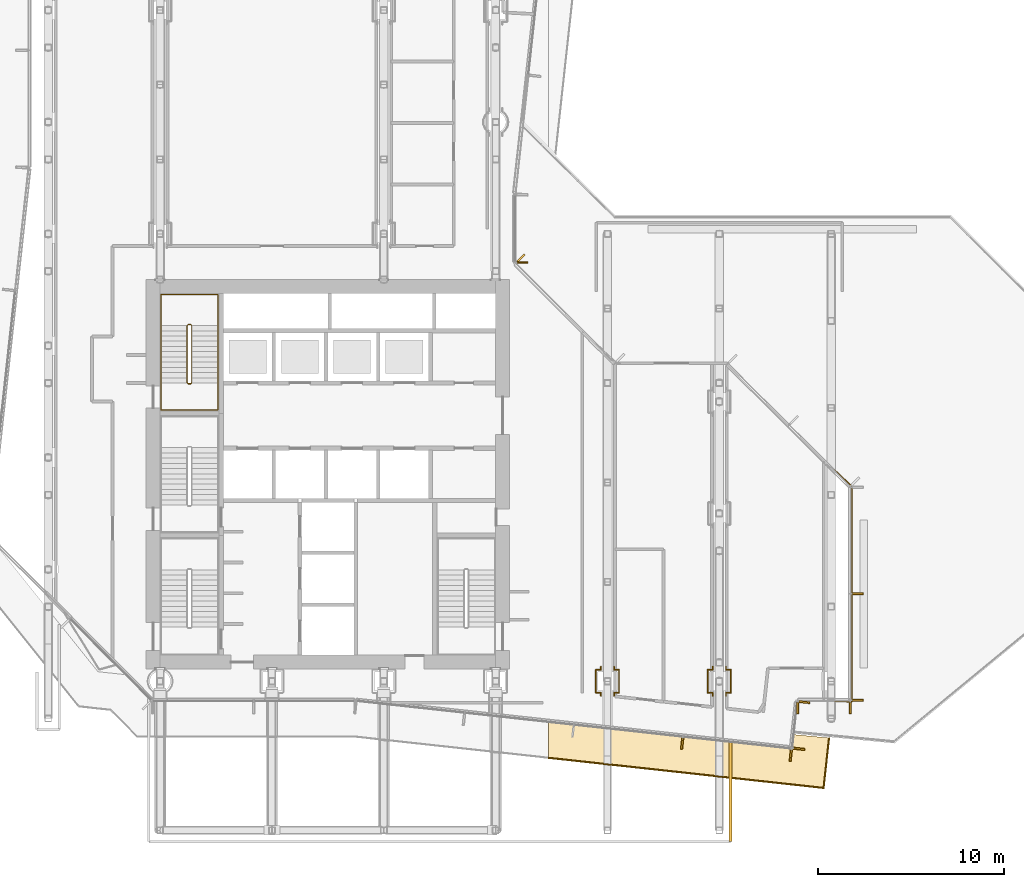
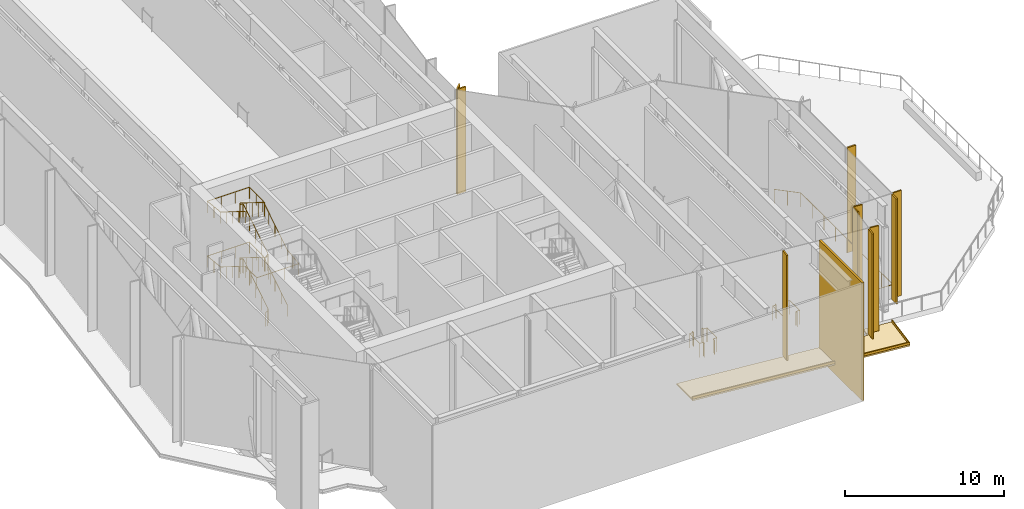
# One storey, part 20 of 24: 13 coverings, 7 railings.
"""IFC4 building model written with IfcOpenShell, lengths in metres."""

from ifc_helpers import new_model, si_unit, direction, frame, origin, origin_2d, place, context, subcontext, project, spatial, polyline, rectangle, circle, outline, extrude, material, layer, layer_set, type_object, element, save


model = new_model("IFC4")

# Units and contexts
model_context = context("Model", 3, precision=1e-05, world=origin(), true_north=direction((0.0, 1.0)))
body_context = subcontext(model_context, "Body", "Model", "MODEL_VIEW")
ifc_project = project(units=[si_unit("LENGTHUNIT", "METRE"), si_unit("AREAUNIT", "SQUARE_METRE"), si_unit("VOLUMEUNIT", "CUBIC_METRE"), si_unit("PLANEANGLEUNIT", "RADIAN"), si_unit("MASSUNIT", "GRAM", prefix="KILO")], contexts=[model_context])

# Site, building, storey
site_placement = place(None, origin())
site = spatial("IfcSite", under=ifc_project, at=site_placement, CompositionType="ELEMENT")
building_placement = place(site_placement, origin())
building = spatial("IfcBuilding", under=site, at=building_placement, Name="Welwitschia Terrace Campus", CompositionType="ELEMENT")
storey_placement = place(building_placement, frame((0.0, 0.0, 138.199951171875)))
storey = spatial("IfcBuildingStorey", under=building, at=storey_placement, Name="L31", CompositionType="ELEMENT", Elevation=138.199951171875)

# Coverings
ifc_material_1 = material(Name="Bronze anodised aluminium", Category="aluminium")
ifc_layer_1 = layer(ifc_material_1, 0.10009765625)
ifc_layer_set_1 = layer_set([ifc_layer_1], Name="Bronze anodised aluminium")
covering_type_1 = type_object("IfcCoveringType", Name="Bronze fin 100x600", PredefinedType="USERDEFINED", material=ifc_layer_set_1)
for number, where, z_axis, x_axis, name in (
    (1, (34.00537109375, 0.64892578125, 0.0), (0.0, 0.0, 1.0), (0.994056338222, -0.108866874852, 0.0), "Fin L31.2.3"),
    (2, (39.82958984375, 0.010986328125, 0.0), (0.0, 0.0, 1.0), (0.994056338222, -0.108866874852, 0.0), "Fin L31.2.4"),
    (3, (40.28173828125, 0.3740234375, 0.0), (0.0, 0.0, 1.0), (0.108866874852, 0.994056338222, 0.0), "Fin L31.3.0"),
    (4, (40.55615234375, 2.87890625, 0.0), (0.0, 0.0, 1.0), (0.108866874852, 0.994056338222, 0.0), "Fin L31.3.1"),
    (5, (40.211669921875, 2.570068359375, 0.0), (0.0, 0.0, 1.0), (1.0, 0.0, 0.0), "Fin L31.4.0"),
    (6, (43.02001953125, 2.570068359375, 0.0), (0.0, 0.0, 1.0), (1.0, 0.0, 0.0), "Fin L31.4.1"),
    (7, (43.429931640625, 2.97998046875, 0.0), (0.0, 0.0, 1.0), (0.0, 1.0, 0.0), "Fin L31.5.0"),
    (8, (43.429931640625, 8.6923828125, 0.0), (0.0, 0.0, 1.0), (0.0, 1.0, 0.0), "Fin L31.5.1"),
    (9, (25.33984375, 26.682373046875, 0.0), (0.0, 0.0, 1.0), (-0.707106781187, 0.707106781187, 0.0), "Fin L31.8.1"),
    (10, (25.429931640625, 26.46484375, 0.0), (0.0, 0.0, 1.0), (0.0, 1.0, 0.0), "Fin L31.9.0"),
):
    element("IfcCovering", number, at=place(storey_placement, frame(where, z_axis=z_axis, x_axis=x_axis)), inside=storey, type_object=covering_type_1, Name=name, ObjectType="FIN", PredefinedType="USERDEFINED", context=body_context, shape_type="SweptSolid", body=[
        extrude(rectangle(XDim=0.10009765625, YDim=0.60009765625, at=origin_2d()), origin(), (0.0, 0.0, 1.0), 8.050048828125),
    ])

# Railings
ifc_material_2 = material(Name="Stainless steel grade 316", Category="steel")
railing_type_1 = type_object("IfcRailingType", Name="Guard 1100", PredefinedType="GUARDRAIL", material=ifc_material_2)
railing_1_placement = place(storey_placement, frame((41.885009765625, 2.949951171875, 0.0)))
element("IfcRailing", 11, at=railing_1_placement, inside=storey, type_object=railing_type_1, Name="Guard terrace L31:0:0.2", PredefinedType="GUARDRAIL", context=body_context, shape_type="SweptSolid", body=[
    extrude(circle(Radius=0.02392578125, at=origin_2d()), frame((0.0, 0.0, 1.076171875), z_axis=(0.999152791577, -0.041154575502, 0.0), x_axis=(0.041154575502, 0.999152791577, 0.0)), (0.0, 0.0, 1.0), 1.216064453125),
    extrude(circle(Radius=0.02392578125, at=origin_2d()), frame((1.215087890625, -0.050048828125, 1.076171875), z_axis=(0.0, 1.0, 0.0), x_axis=(-1.0, 0.0, 0.0)), (0.0, 0.0, 1.0), 11.5556640625),
    extrude(circle(Radius=0.02392578125, at=origin_2d()), frame((1.215087890625, 11.505615234375, 1.076171875), z_axis=(-0.727399002446, 0.686214755919, 0.0), x_axis=(-0.686214755919, -0.727399002446, 0.0)), (0.0, 0.0, 1.0), 1.71923828125),
    extrude(circle(Radius=0.02099609375, at=origin_2d()), origin(), (0.0, 0.0, 1.0), 1.052001953125),
    extrude(circle(Radius=0.02099609375, at=origin_2d()), frame((1.215087890625, -0.050048828125, 0.0)), (0.0, 0.0, 1.0), 1.052001953125),
    extrude(circle(Radius=0.02099609375, at=origin_2d()), frame((1.215087890625, 1.39453125, 0.0)), (0.0, 0.0, 1.0), 1.052001953125),
    extrude(circle(Radius=0.02099609375, at=origin_2d()), frame((1.215087890625, 2.8388671875, 0.0)), (0.0, 0.0, 1.0), 1.052001953125),
    extrude(circle(Radius=0.02099609375, at=origin_2d()), frame((1.215087890625, 4.283203125, 0.0)), (0.0, 0.0, 1.0), 1.052001953125),
    extrude(circle(Radius=0.02099609375, at=origin_2d()), frame((1.215087890625, 5.727783203125, 0.0)), (0.0, 0.0, 1.0), 1.052001953125),
    extrude(circle(Radius=0.02099609375, at=origin_2d()), frame((1.215087890625, 7.17236328125, 0.0)), (0.0, 0.0, 1.0), 1.052001953125),
    extrude(circle(Radius=0.02099609375, at=origin_2d()), frame((1.215087890625, 8.61669921875, 0.0)), (0.0, 0.0, 1.0), 1.052001953125),
    extrude(circle(Radius=0.02099609375, at=origin_2d()), frame((1.215087890625, 10.06103515625, 0.0)), (0.0, 0.0, 1.0), 1.052001953125),
    extrude(circle(Radius=0.02099609375, at=origin_2d()), frame((1.215087890625, 11.505615234375, 0.0)), (0.0, 0.0, 1.0), 1.052001953125),
    extrude(circle(Radius=0.02099609375, at=origin_2d()), frame((0.58984375, 12.095458984375, 0.0)), (0.0, 0.0, 1.0), 1.052001953125),
    extrude(circle(Radius=0.02099609375, at=origin_2d()), frame((-0.035400390625, 12.685302734375, 0.0)), (0.0, 0.0, 1.0), 1.052001953125),
])
railing_2_placement = place(storey_placement, frame((36.35498046875, 3.219970703125, 0.0)))
element("IfcRailing", 12, at=railing_2_placement, inside=storey, type_object=railing_type_1, Name="Guard floor edge L31.2", PredefinedType="GUARDRAIL", context=body_context, shape_type="SweptSolid", body=[
    extrude(circle(Radius=0.02392578125, at=origin_2d()), frame((0.0, 0.0, 1.076171875), z_axis=(0.0, 1.0, 0.0), x_axis=(-1.0, 0.0, 0.0)), (0.0, 0.0, 1.0), 0.159912109375),
    extrude(circle(Radius=0.02392578125, at=origin_2d()), frame((0.0, 0.159912109375, 1.076171875), z_axis=(1.0, 0.0, 0.0), x_axis=(0.0, 1.0, 0.0)), (0.0, 0.0, 1.0), 0.26513671875),
    extrude(circle(Radius=0.02392578125, at=origin_2d()), frame((0.26513671875, 0.159912109375, 1.076171875), z_axis=(0.0, 1.0, 0.0), x_axis=(-1.0, 0.0, 0.0)), (0.0, 0.0, 1.0), 1.240234375),
    extrude(circle(Radius=0.02392578125, at=origin_2d()), frame((0.26513671875, 1.400146484375, 1.076171875), z_axis=(-1.0, 0.0, 0.0), x_axis=(0.0, -1.0, 0.0)), (0.0, 0.0, 1.0), 0.26513671875),
    extrude(circle(Radius=0.02392578125, at=origin_2d()), frame((0.0, 1.400146484375, 1.076171875), z_axis=(0.0, 1.0, 0.0), x_axis=(-1.0, 0.0, 0.0)), (0.0, 0.0, 1.0), 0.159912109375),
    extrude(circle(Radius=0.02099609375, at=origin_2d()), origin(), (0.0, 0.0, 1.0), 1.052001953125),
    extrude(circle(Radius=0.02099609375, at=origin_2d()), frame((0.0, 0.159912109375, 0.0)), (0.0, 0.0, 1.0), 1.052001953125),
    extrude(circle(Radius=0.02099609375, at=origin_2d()), frame((0.26513671875, 0.159912109375, 0.0)), (0.0, 0.0, 1.0), 1.052001953125),
    extrude(circle(Radius=0.02099609375, at=origin_2d()), frame((0.26513671875, 1.400146484375, 0.0)), (0.0, 0.0, 1.0), 1.052001953125),
    extrude(circle(Radius=0.02099609375, at=origin_2d()), frame((0.0, 1.400146484375, 0.0)), (0.0, 0.0, 1.0), 1.052001953125),
    extrude(circle(Radius=0.02099609375, at=origin_2d()), frame((0.0, 1.56005859375, 0.0)), (0.0, 0.0, 1.0), 1.052001953125),
])
railing_3_placement = place(storey_placement, frame((35.64501953125, 4.780029296875, 0.0)))
element("IfcRailing", 13, at=railing_3_placement, inside=storey, type_object=railing_type_1, Name="Guard floor edge L31.5", PredefinedType="GUARDRAIL", context=body_context, shape_type="SweptSolid", body=[
    extrude(circle(Radius=0.02392578125, at=origin_2d()), frame((0.0, 0.0, 1.076171875), z_axis=(0.0, -1.0, 0.0), x_axis=(1.0, 0.0, 0.0)), (0.0, 0.0, 1.0), 0.159912109375),
    extrude(circle(Radius=0.02392578125, at=origin_2d()), frame((0.0, -0.159912109375, 1.076171875), z_axis=(-1.0, 0.0, 0.0), x_axis=(0.0, -1.0, 0.0)), (0.0, 0.0, 1.0), 0.26513671875),
    extrude(circle(Radius=0.02392578125, at=origin_2d()), frame((-0.26513671875, -0.159912109375, 1.076171875), z_axis=(0.0, -1.0, 0.0), x_axis=(1.0, 0.0, 0.0)), (0.0, 0.0, 1.0), 1.240234375),
    extrude(circle(Radius=0.02392578125, at=origin_2d()), frame((-0.26513671875, -1.400146484375, 1.076171875), z_axis=(1.0, 0.0, 0.0), x_axis=(0.0, 1.0, 0.0)), (0.0, 0.0, 1.0), 0.26513671875),
    extrude(circle(Radius=0.02392578125, at=origin_2d()), frame((0.0, -1.400146484375, 1.076171875), z_axis=(0.0, -1.0, 0.0), x_axis=(1.0, 0.0, 0.0)), (0.0, 0.0, 1.0), 0.159912109375),
    extrude(circle(Radius=0.02099609375, at=origin_2d()), origin(), (0.0, 0.0, 1.0), 1.052001953125),
    extrude(circle(Radius=0.02099609375, at=origin_2d()), frame((0.0, -0.159912109375, 0.0)), (0.0, 0.0, 1.0), 1.052001953125),
    extrude(circle(Radius=0.02099609375, at=origin_2d()), frame((-0.26513671875, -0.159912109375, 0.0)), (0.0, 0.0, 1.0), 1.052001953125),
    extrude(circle(Radius=0.02099609375, at=origin_2d()), frame((-0.26513671875, -1.400146484375, 0.0)), (0.0, 0.0, 1.0), 1.052001953125),
    extrude(circle(Radius=0.02099609375, at=origin_2d()), frame((0.0, -1.400146484375, 0.0)), (0.0, 0.0, 1.0), 1.052001953125),
    extrude(circle(Radius=0.02099609375, at=origin_2d()), frame((0.0, -1.56005859375, 0.0)), (0.0, 0.0, 1.0), 1.052001953125),
])
railing_4_placement = place(storey_placement, frame((30.35498046875, 3.219970703125, 0.0)))
element("IfcRailing", 14, at=railing_4_placement, inside=storey, type_object=railing_type_1, Name="Guard floor edge L31.8", PredefinedType="GUARDRAIL", context=body_context, shape_type="SweptSolid", body=[
    extrude(circle(Radius=0.02392578125, at=origin_2d()), frame((0.0, 0.0, 1.076171875), z_axis=(0.0, 1.0, 0.0), x_axis=(-1.0, 0.0, 0.0)), (0.0, 0.0, 1.0), 0.159912109375),
    extrude(circle(Radius=0.02392578125, at=origin_2d()), frame((0.0, 0.159912109375, 1.076171875), z_axis=(1.0, 0.0, 0.0), x_axis=(0.0, 1.0, 0.0)), (0.0, 0.0, 1.0), 0.26513671875),
    extrude(circle(Radius=0.02392578125, at=origin_2d()), frame((0.26513671875, 0.159912109375, 1.076171875), z_axis=(0.0, 1.0, 0.0), x_axis=(-1.0, 0.0, 0.0)), (0.0, 0.0, 1.0), 1.240234375),
    extrude(circle(Radius=0.02392578125, at=origin_2d()), frame((0.26513671875, 1.400146484375, 1.076171875), z_axis=(-1.0, 0.0, 0.0), x_axis=(0.0, -1.0, 0.0)), (0.0, 0.0, 1.0), 0.26513671875),
    extrude(circle(Radius=0.02392578125, at=origin_2d()), frame((0.0, 1.400146484375, 1.076171875), z_axis=(0.0, 1.0, 0.0), x_axis=(-1.0, 0.0, 0.0)), (0.0, 0.0, 1.0), 0.159912109375),
    extrude(circle(Radius=0.02099609375, at=origin_2d()), origin(), (0.0, 0.0, 1.0), 1.052001953125),
    extrude(circle(Radius=0.02099609375, at=origin_2d()), frame((0.0, 0.159912109375, 0.0)), (0.0, 0.0, 1.0), 1.052001953125),
    extrude(circle(Radius=0.02099609375, at=origin_2d()), frame((0.26513671875, 0.159912109375, 0.0)), (0.0, 0.0, 1.0), 1.052001953125),
    extrude(circle(Radius=0.02099609375, at=origin_2d()), frame((0.26513671875, 1.400146484375, 0.0)), (0.0, 0.0, 1.0), 1.052001953125),
    extrude(circle(Radius=0.02099609375, at=origin_2d()), frame((0.0, 1.400146484375, 0.0)), (0.0, 0.0, 1.0), 1.052001953125),
    extrude(circle(Radius=0.02099609375, at=origin_2d()), frame((0.0, 1.56005859375, 0.0)), (0.0, 0.0, 1.0), 1.052001953125),
])
railing_5_placement = place(storey_placement, frame((29.64501953125, 4.780029296875, 0.0)))
element("IfcRailing", 15, at=railing_5_placement, inside=storey, type_object=railing_type_1, Name="Guard floor edge L31.9", PredefinedType="GUARDRAIL", context=body_context, shape_type="SweptSolid", body=[
    extrude(circle(Radius=0.02392578125, at=origin_2d()), frame((0.0, 0.0, 1.076171875), z_axis=(0.0, -1.0, 0.0), x_axis=(1.0, 0.0, 0.0)), (0.0, 0.0, 1.0), 0.159912109375),
    extrude(circle(Radius=0.02392578125, at=origin_2d()), frame((0.0, -0.159912109375, 1.076171875), z_axis=(-1.0, 0.0, 0.0), x_axis=(0.0, -1.0, 0.0)), (0.0, 0.0, 1.0), 0.26513671875),
    extrude(circle(Radius=0.02392578125, at=origin_2d()), frame((-0.26513671875, -0.159912109375, 1.076171875), z_axis=(0.0, -1.0, 0.0), x_axis=(1.0, 0.0, 0.0)), (0.0, 0.0, 1.0), 1.240234375),
    extrude(circle(Radius=0.02392578125, at=origin_2d()), frame((-0.26513671875, -1.400146484375, 1.076171875), z_axis=(1.0, 0.0, 0.0), x_axis=(0.0, 1.0, 0.0)), (0.0, 0.0, 1.0), 0.26513671875),
    extrude(circle(Radius=0.02392578125, at=origin_2d()), frame((0.0, -1.400146484375, 1.076171875), z_axis=(0.0, -1.0, 0.0), x_axis=(1.0, 0.0, 0.0)), (0.0, 0.0, 1.0), 0.159912109375),
    extrude(circle(Radius=0.02099609375, at=origin_2d()), origin(), (0.0, 0.0, 1.0), 1.052001953125),
    extrude(circle(Radius=0.02099609375, at=origin_2d()), frame((0.0, -0.159912109375, 0.0)), (0.0, 0.0, 1.0), 1.052001953125),
    extrude(circle(Radius=0.02099609375, at=origin_2d()), frame((-0.26513671875, -0.159912109375, 0.0)), (0.0, 0.0, 1.0), 1.052001953125),
    extrude(circle(Radius=0.02099609375, at=origin_2d()), frame((-0.26513671875, -1.400146484375, 0.0)), (0.0, 0.0, 1.0), 1.052001953125),
    extrude(circle(Radius=0.02099609375, at=origin_2d()), frame((0.0, -1.400146484375, 0.0)), (0.0, 0.0, 1.0), 1.052001953125),
    extrude(circle(Radius=0.02099609375, at=origin_2d()), frame((0.0, -1.56005859375, 0.0)), (0.0, 0.0, 1.0), 1.052001953125),
])

# Covering
ifc_material_3 = material(Name="Bronze anodised aluminium", Category="aluminium")
ifc_layer_2 = layer(ifc_material_3, 0.139892578125)
ifc_layer_set_2 = layer_set([ifc_layer_2], Name="Bronze anodised aluminium")
covering_type_2 = type_object("IfcCoveringType", Name="Soffit fascia cladding 140", PredefinedType="CLADDING", material=ifc_layer_set_2)
covering_1_placement = place(storey_placement, frame((0.0, 0.0, -1.0)))
element("IfcCovering", 16, at=covering_1_placement, inside=storey, type_object=covering_type_2, Name="Clad fascia L31.tip fascia St1 e", PredefinedType="CLADDING", context=body_context, shape_type="SweptSolid", body=[
    extrude(outline(polyline([(36.669921875, -4.60009765625), (36.669921875, 0.777099609375), (36.530029296875, 0.777099609375), (36.530029296875, -4.60009765625), (36.669921875, -4.60009765625)])), origin(), (0.0, 0.0, 1.0), 9.050048828125),
])

# Railings
ifc_material_4 = material(Name="Steel S355", Category="steel")
railing_type_2 = type_object("IfcRailingType", Name="Stair guard 1100", PredefinedType="GUARDRAIL", material=ifc_material_4)
railing_6_placement = place(storey_placement, frame((7.5, 19.949951171875, 0.0)))
element("IfcRailing", 17, at=railing_6_placement, inside=storey, type_object=railing_type_2, Name="L31 S4 stair guard", PredefinedType="GUARDRAIL", context=body_context, shape_type="SweptSolid", body=[
    extrude(circle(Radius=0.02392578125, at=origin_2d()), frame((0.0, 0.0, 1.076171875), z_axis=(1.0, 0.0, 0.0), x_axis=(0.0, 1.0, 0.0)), (0.0, 0.0, 1.0), 0.14990234375),
    extrude(circle(Radius=0.02392578125, at=origin_2d()), frame((0.14990234375, 0.0, 1.076171875), z_axis=(0.265065253269, 0.265065253269, 0.927081885822), x_axis=(-0.707106781187, 0.707106781187, 0.0)), (0.0, 0.0, 1.0), 0.188720703125),
    extrude(circle(Radius=0.02392578125, at=origin_2d()), frame((0.199951171875, 0.050048828125, 1.2509765625), z_axis=(0.0, 0.847998304005, 0.529998940003), x_axis=(-1.0, 0.0, 0.0)), (0.0, 0.0, 1.0), 3.632080078125),
    extrude(circle(Radius=0.02392578125, at=origin_2d()), frame((0.199951171875, 3.130126953125, 3.17626953125), z_axis=(-0.708833529934, 0.705375805398, 0.0), x_axis=(-0.705375805398, -0.708833529934, 0.0)), (0.0, 0.0, 1.0), 0.070556640625),
    extrude(circle(Radius=0.02392578125, at=origin_2d()), frame((0.14990234375, 3.179931640625, 3.17626953125), z_axis=(-1.0, 0.0, 0.0), x_axis=(0.0, -1.0, 0.0)), (0.0, 0.0, 1.0), 0.14990234375),
    extrude(circle(Radius=0.02392578125, at=origin_2d()), frame((0.0, 3.179931640625, 3.17626953125), z_axis=(-0.265155923931, -0.263862480399, 0.927399011991), x_axis=(0.705375805398, -0.708833529934, 0.0)), (0.0, 0.0, 1.0), 0.188720703125),
    extrude(circle(Radius=0.02392578125, at=origin_2d()), frame((-0.050048828125, 3.130126953125, 3.35107421875), z_axis=(0.0, -0.848028513186, 0.529950602248), x_axis=(1.0, 0.0, 0.0)), (0.0, 0.0, 1.0), 3.632080078125),
    extrude(circle(Radius=0.02392578125, at=origin_2d()), frame((-0.050048828125, 0.050048828125, 5.27587890625), z_axis=(0.970072785993, -0.242814311512, 0.0), x_axis=(0.242814311512, 0.970072785993, 0.0)), (0.0, 0.0, 1.0), 0.2060546875),
    extrude(circle(Radius=0.02392578125, at=origin_2d()), frame((0.14990234375, 0.0, 5.27587890625), z_axis=(-1.0, 0.0, 0.0), x_axis=(0.0, -1.0, 0.0)), (0.0, 0.0, 1.0), 0.14990234375),
    extrude(circle(Radius=0.02392578125, at=origin_2d()), frame((0.0, 0.0, 5.27587890625), z_axis=(0.739407315901, 0.185077533284, 0.647319957877), x_axis=(-0.242814311512, 0.970072785993, 0.0)), (0.0, 0.0, 1.0), 0.2705078125),
    extrude(circle(Radius=0.02392578125, at=origin_2d()), frame((0.199951171875, 0.050048828125, 5.451171875), z_axis=(0.0, 0.847998304005, 0.529998940003), x_axis=(-1.0, 0.0, 0.0)), (0.0, 0.0, 1.0), 3.632080078125),
    extrude(circle(Radius=0.02392578125, at=origin_2d()), frame((0.199951171875, 3.130126953125, 7.3759765625), z_axis=(-0.708833529934, 0.705375805398, 0.0), x_axis=(-0.705375805398, -0.708833529934, 0.0)), (0.0, 0.0, 1.0), 0.070556640625),
    extrude(circle(Radius=0.02392578125, at=origin_2d()), frame((0.14990234375, 3.179931640625, 7.3759765625), z_axis=(-1.0, 0.0, 0.0), x_axis=(0.0, -1.0, 0.0)), (0.0, 0.0, 1.0), 0.14990234375),
    extrude(circle(Radius=0.02392578125, at=origin_2d()), frame((0.0, 3.179931640625, 7.3759765625), z_axis=(-0.265155923931, -0.263862480399, 0.927399011991), x_axis=(0.705375805398, -0.708833529934, 0.0)), (0.0, 0.0, 1.0), 0.188720703125),
    extrude(circle(Radius=0.02392578125, at=origin_2d()), frame((-0.050048828125, 3.130126953125, 7.55126953125), z_axis=(0.0, -0.847998304005, 0.529998940003), x_axis=(1.0, 0.0, 0.0)), (0.0, 0.0, 1.0), 3.632080078125),
    extrude(circle(Radius=0.02099609375, at=origin_2d()), origin(), (0.0, 0.0, 1.0), 1.052001953125),
    extrude(circle(Radius=0.02099609375, at=origin_2d()), frame((0.14990234375, 0.0, 0.0)), (0.0, 0.0, 1.0), 1.052001953125),
    extrude(circle(Radius=0.02099609375, at=origin_2d()), frame((0.199951171875, 0.050048828125, 0.175048828125)), (0.0, 0.0, 1.0), 1.052001953125),
    extrude(circle(Radius=0.02099609375, at=origin_2d()), frame((0.199951171875, 0.820068359375, 0.65625)), (0.0, 0.0, 1.0), 1.052001953125),
    extrude(circle(Radius=0.02099609375, at=origin_2d()), frame((0.199951171875, 1.590087890625, 1.1376953125)), (0.0, 0.0, 1.0), 1.052001953125),
    extrude(circle(Radius=0.02099609375, at=origin_2d()), frame((0.199951171875, 2.360107421875, 1.618896484375)), (0.0, 0.0, 1.0), 1.052001953125),
    extrude(circle(Radius=0.02099609375, at=origin_2d()), frame((0.199951171875, 3.130126953125, 2.10009765625)), (0.0, 0.0, 1.0), 1.052001953125),
    extrude(circle(Radius=0.02099609375, at=origin_2d()), frame((0.14990234375, 3.179931640625, 2.10009765625)), (0.0, 0.0, 1.0), 1.052001953125),
    extrude(circle(Radius=0.02099609375, at=origin_2d()), frame((0.0, 3.179931640625, 2.10009765625)), (0.0, 0.0, 1.0), 1.052001953125),
    extrude(circle(Radius=0.02099609375, at=origin_2d()), frame((-0.050048828125, 3.130126953125, 2.275146484375)), (0.0, 0.0, 1.0), 1.052001953125),
    extrude(circle(Radius=0.02099609375, at=origin_2d()), frame((-0.050048828125, 2.360107421875, 2.75634765625)), (0.0, 0.0, 1.0), 1.052001953125),
    extrude(circle(Radius=0.02099609375, at=origin_2d()), frame((-0.050048828125, 1.590087890625, 3.237548828125)), (0.0, 0.0, 1.0), 1.052001953125),
    extrude(circle(Radius=0.02099609375, at=origin_2d()), frame((-0.050048828125, 0.820068359375, 3.71875)), (0.0, 0.0, 1.0), 1.052001953125),
    extrude(circle(Radius=0.02099609375, at=origin_2d()), frame((-0.050048828125, 0.050048828125, 4.199951171875)), (0.0, 0.0, 1.0), 1.052001953125),
    extrude(circle(Radius=0.02099609375, at=origin_2d()), frame((0.14990234375, 0.0, 4.199951171875)), (0.0, 0.0, 1.0), 1.052001953125),
    extrude(circle(Radius=0.02099609375, at=origin_2d()), frame((0.0, 0.0, 4.199951171875)), (0.0, 0.0, 1.0), 1.052001953125),
    extrude(circle(Radius=0.02099609375, at=origin_2d()), frame((0.199951171875, 0.050048828125, 4.375)), (0.0, 0.0, 1.0), 1.052001953125),
    extrude(circle(Radius=0.02099609375, at=origin_2d()), frame((0.199951171875, 0.820068359375, 4.856201171875)), (0.0, 0.0, 1.0), 1.052001953125),
    extrude(circle(Radius=0.02099609375, at=origin_2d()), frame((0.199951171875, 1.590087890625, 5.33740234375)), (0.0, 0.0, 1.0), 1.052001953125),
    extrude(circle(Radius=0.02099609375, at=origin_2d()), frame((0.199951171875, 2.360107421875, 5.81884765625)), (0.0, 0.0, 1.0), 1.052001953125),
    extrude(circle(Radius=0.02099609375, at=origin_2d()), frame((0.199951171875, 3.130126953125, 6.300048828125)), (0.0, 0.0, 1.0), 1.052001953125),
    extrude(circle(Radius=0.02099609375, at=origin_2d()), frame((0.14990234375, 3.179931640625, 6.300048828125)), (0.0, 0.0, 1.0), 1.052001953125),
    extrude(circle(Radius=0.02099609375, at=origin_2d()), frame((0.0, 3.179931640625, 6.300048828125)), (0.0, 0.0, 1.0), 1.052001953125),
    extrude(circle(Radius=0.02099609375, at=origin_2d()), frame((-0.050048828125, 3.130126953125, 6.47509765625)), (0.0, 0.0, 1.0), 1.052001953125),
    extrude(circle(Radius=0.02099609375, at=origin_2d()), frame((-0.050048828125, 2.360107421875, 6.956298828125)), (0.0, 0.0, 1.0), 1.052001953125),
    extrude(circle(Radius=0.02099609375, at=origin_2d()), frame((-0.050048828125, 1.590087890625, 7.4375)), (0.0, 0.0, 1.0), 1.052001953125),
    extrude(circle(Radius=0.02099609375, at=origin_2d()), frame((-0.050048828125, 0.820068359375, 7.9189453125)), (0.0, 0.0, 1.0), 1.052001953125),
    extrude(circle(Radius=0.02099609375, at=origin_2d()), frame((-0.050048828125, 0.050048828125, 8.400146484375)), (0.0, 0.0, 1.0), 1.052001953125),
])
ifc_material_5 = material(Name="Steel S355", Category="steel")
railing_type_3 = type_object("IfcRailingType", Name="Stair handrail 900", PredefinedType="HANDRAIL", material=ifc_material_5)
railing_7_placement = place(storey_placement, frame((9.10009765625, 20.0, 0.175048828125)))
element("IfcRailing", 18, at=railing_7_placement, inside=storey, type_object=railing_type_3, Name="L31 S4 stair handrail", PredefinedType="HANDRAIL", context=body_context, shape_type="SweptSolid", body=[
    extrude(circle(Radius=0.02392578125, at=origin_2d()), frame((0.0, 0.0, 0.8759765625), z_axis=(0.0, 0.847998304005, 0.529998940003), x_axis=(-1.0, 0.0, 0.0)), (0.0, 0.0, 1.0), 3.632080078125),
    extrude(circle(Radius=0.02392578125, at=origin_2d()), frame((0.0, 3.080078125, 2.80078125), z_axis=(0.0, 1.0, 0.0), x_axis=(-1.0, 0.0, 0.0)), (0.0, 0.0, 1.0), 1.669921875),
    extrude(circle(Radius=0.02392578125, at=origin_2d()), frame((0.0, 4.75, 2.80078125), z_axis=(-1.0, 0.0, 0.0), x_axis=(0.0, -1.0, 0.0)), (0.0, 0.0, 1.0), 3.050048828125),
    extrude(circle(Radius=0.02392578125, at=origin_2d()), frame((-3.050048828125, 4.75, 2.80078125), z_axis=(0.0, -0.99455077262, 0.104253348533), x_axis=(1.0, 0.0, 0.0)), (0.0, 0.0, 1.0), 1.678955078125),
    extrude(circle(Radius=0.02392578125, at=origin_2d()), frame((-3.050048828125, 3.080078125, 2.97607421875), z_axis=(0.0, -0.848028513186, 0.529950602248), x_axis=(1.0, 0.0, 0.0)), (0.0, 0.0, 1.0), 3.632080078125),
    extrude(circle(Radius=0.02392578125, at=origin_2d()), frame((-3.050048828125, 0.0, 4.90087890625), z_axis=(0.0, -1.0, 0.0), x_axis=(1.0, 0.0, 0.0)), (0.0, 0.0, 1.0), 1.449951171875),
    extrude(circle(Radius=0.02392578125, at=origin_2d()), frame((-3.050048828125, -1.449951171875, 4.90087890625), z_axis=(1.0, 0.0, 0.0), x_axis=(0.0, 1.0, 0.0)), (0.0, 0.0, 1.0), 3.050048828125),
    extrude(circle(Radius=0.02392578125, at=origin_2d()), frame((0.0, -1.449951171875, 4.90087890625), z_axis=(0.0, 0.992791155251, 0.119857090136), x_axis=(-1.0, 0.0, 0.0)), (0.0, 0.0, 1.0), 1.46044921875),
    extrude(circle(Radius=0.02392578125, at=origin_2d()), frame((0.0, 0.0, 5.07568359375), z_axis=(0.0, 0.847998304005, 0.529998940003), x_axis=(-1.0, 0.0, 0.0)), (0.0, 0.0, 1.0), 3.632080078125),
    extrude(circle(Radius=0.02392578125, at=origin_2d()), frame((0.0, 3.080078125, 7.0009765625), z_axis=(0.0, 1.0, 0.0), x_axis=(-1.0, 0.0, 0.0)), (0.0, 0.0, 1.0), 1.669921875),
    extrude(circle(Radius=0.02392578125, at=origin_2d()), frame((0.0, 4.75, 7.0009765625), z_axis=(-1.0, 0.0, 0.0), x_axis=(0.0, -1.0, 0.0)), (0.0, 0.0, 1.0), 3.050048828125),
    extrude(circle(Radius=0.02392578125, at=origin_2d()), frame((-3.050048828125, 4.75, 7.0009765625), z_axis=(0.0, -0.99455077262, 0.104253348533), x_axis=(1.0, 0.0, 0.0)), (0.0, 0.0, 1.0), 1.678955078125),
    extrude(circle(Radius=0.02392578125, at=origin_2d()), frame((-3.050048828125, 3.080078125, 7.17578125), z_axis=(0.0, -0.847998304005, 0.529998940003), x_axis=(1.0, 0.0, 0.0)), (0.0, 0.0, 1.0), 3.632080078125),
    extrude(circle(Radius=0.02099609375, at=origin_2d()), origin(), (0.0, 0.0, 1.0), 0.851806640625),
    extrude(circle(Radius=0.02099609375, at=origin_2d()), frame((0.0, 0.77001953125, 0.481201171875)), (0.0, 0.0, 1.0), 0.851806640625),
    extrude(circle(Radius=0.02099609375, at=origin_2d()), frame((0.0, 1.5400390625, 0.96240234375)), (0.0, 0.0, 1.0), 0.851806640625),
    extrude(circle(Radius=0.02099609375, at=origin_2d()), frame((0.0, 2.31005859375, 1.44384765625)), (0.0, 0.0, 1.0), 0.851806640625),
    extrude(circle(Radius=0.02099609375, at=origin_2d()), frame((0.0, 3.080078125, 1.925048828125)), (0.0, 0.0, 1.0), 0.851806640625),
    extrude(circle(Radius=0.02099609375, at=origin_2d()), frame((0.0, 3.9150390625, 1.925048828125)), (0.0, 0.0, 1.0), 0.851806640625),
    extrude(circle(Radius=0.02099609375, at=origin_2d()), frame((0.0, 4.75, 1.925048828125)), (0.0, 0.0, 1.0), 0.851806640625),
    extrude(circle(Radius=0.02099609375, at=origin_2d()), frame((-1.0166015625, 4.75, 1.925048828125)), (0.0, 0.0, 1.0), 0.851806640625),
    extrude(circle(Radius=0.02099609375, at=origin_2d()), frame((-2.033447265625, 4.75, 1.925048828125)), (0.0, 0.0, 1.0), 0.851806640625),
    extrude(circle(Radius=0.02099609375, at=origin_2d()), frame((-3.050048828125, 4.75, 1.925048828125)), (0.0, 0.0, 1.0), 0.851806640625),
    extrude(circle(Radius=0.02099609375, at=origin_2d()), frame((-3.050048828125, 3.9150390625, 2.0126953125)), (0.0, 0.0, 1.0), 0.851806640625),
    extrude(circle(Radius=0.02099609375, at=origin_2d()), frame((-3.050048828125, 3.080078125, 2.10009765625)), (0.0, 0.0, 1.0), 0.851806640625),
    extrude(circle(Radius=0.02099609375, at=origin_2d()), frame((-3.050048828125, 2.31005859375, 2.581298828125)), (0.0, 0.0, 1.0), 0.851806640625),
    extrude(circle(Radius=0.02099609375, at=origin_2d()), frame((-3.050048828125, 1.5400390625, 3.0625)), (0.0, 0.0, 1.0), 0.851806640625),
    extrude(circle(Radius=0.02099609375, at=origin_2d()), frame((-3.050048828125, 0.77001953125, 3.543701171875)), (0.0, 0.0, 1.0), 0.851806640625),
    extrude(circle(Radius=0.02099609375, at=origin_2d()), frame((-3.050048828125, 0.0, 4.02490234375)), (0.0, 0.0, 1.0), 0.851806640625),
    extrude(circle(Radius=0.02099609375, at=origin_2d()), frame((-3.050048828125, -0.72509765625, 4.02490234375)), (0.0, 0.0, 1.0), 0.851806640625),
    extrude(circle(Radius=0.02099609375, at=origin_2d()), frame((-3.050048828125, -1.449951171875, 4.02490234375)), (0.0, 0.0, 1.0), 0.851806640625),
    extrude(circle(Radius=0.02099609375, at=origin_2d()), frame((-2.033447265625, -1.449951171875, 4.02490234375)), (0.0, 0.0, 1.0), 0.851806640625),
    extrude(circle(Radius=0.02099609375, at=origin_2d()), frame((-1.0166015625, -1.449951171875, 4.02490234375)), (0.0, 0.0, 1.0), 0.851806640625),
    extrude(circle(Radius=0.02099609375, at=origin_2d()), frame((0.0, -1.449951171875, 4.02490234375)), (0.0, 0.0, 1.0), 0.851806640625),
    extrude(circle(Radius=0.02099609375, at=origin_2d()), frame((0.0, -0.72509765625, 4.1123046875)), (0.0, 0.0, 1.0), 0.851806640625),
    extrude(circle(Radius=0.02099609375, at=origin_2d()), frame((0.0, 0.0, 4.199951171875)), (0.0, 0.0, 1.0), 0.851806640625),
    extrude(circle(Radius=0.02099609375, at=origin_2d()), frame((0.0, 0.77001953125, 4.68115234375)), (0.0, 0.0, 1.0), 0.851806640625),
    extrude(circle(Radius=0.02099609375, at=origin_2d()), frame((0.0, 1.5400390625, 5.16259765625)), (0.0, 0.0, 1.0), 0.851806640625),
    extrude(circle(Radius=0.02099609375, at=origin_2d()), frame((0.0, 2.31005859375, 5.643798828125)), (0.0, 0.0, 1.0), 0.851806640625),
    extrude(circle(Radius=0.02099609375, at=origin_2d()), frame((0.0, 3.080078125, 6.125)), (0.0, 0.0, 1.0), 0.851806640625),
    extrude(circle(Radius=0.02099609375, at=origin_2d()), frame((0.0, 3.9150390625, 6.125)), (0.0, 0.0, 1.0), 0.851806640625),
    extrude(circle(Radius=0.02099609375, at=origin_2d()), frame((0.0, 4.75, 6.125)), (0.0, 0.0, 1.0), 0.851806640625),
    extrude(circle(Radius=0.02099609375, at=origin_2d()), frame((-1.0166015625, 4.75, 6.125)), (0.0, 0.0, 1.0), 0.851806640625),
    extrude(circle(Radius=0.02099609375, at=origin_2d()), frame((-2.033447265625, 4.75, 6.125)), (0.0, 0.0, 1.0), 0.851806640625),
    extrude(circle(Radius=0.02099609375, at=origin_2d()), frame((-3.050048828125, 4.75, 6.125)), (0.0, 0.0, 1.0), 0.851806640625),
    extrude(circle(Radius=0.02099609375, at=origin_2d()), frame((-3.050048828125, 3.9150390625, 6.21240234375)), (0.0, 0.0, 1.0), 0.851806640625),
    extrude(circle(Radius=0.02099609375, at=origin_2d()), frame((-3.050048828125, 3.080078125, 6.300048828125)), (0.0, 0.0, 1.0), 0.851806640625),
    extrude(circle(Radius=0.02099609375, at=origin_2d()), frame((-3.050048828125, 2.31005859375, 6.78125)), (0.0, 0.0, 1.0), 0.851806640625),
    extrude(circle(Radius=0.02099609375, at=origin_2d()), frame((-3.050048828125, 1.5400390625, 7.2626953125)), (0.0, 0.0, 1.0), 0.851806640625),
    extrude(circle(Radius=0.02099609375, at=origin_2d()), frame((-3.050048828125, 0.77001953125, 7.743896484375)), (0.0, 0.0, 1.0), 0.851806640625),
    extrude(circle(Radius=0.02099609375, at=origin_2d()), frame((-3.050048828125, 0.0, 8.22509765625)), (0.0, 0.0, 1.0), 0.851806640625),
])

# Coverings
ifc_material_6 = material(Name="Bronze anodised aluminium", Category="aluminium")
ifc_layer_3 = layer(ifc_material_6, 0.1201171875)
ifc_layer_set_3 = layer_set([ifc_layer_3], Name="Bronze anodised aluminium")
covering_type_3 = type_object("IfcCoveringType", Name="Sunshade band 2000", PredefinedType="USERDEFINED", material=ifc_layer_set_3)
covering_2_placement = place(storey_placement, frame((0.0, 0.0, -0.300048828125)))
element("IfcCovering", 19, at=covering_2_placement, inside=storey, type_object=covering_type_3, Name="SUNSHADE L31.SE0", ObjectType="SUNSHADE", PredefinedType="USERDEFINED", context=body_context, shape_type="SweptSolid", body=[
    extrude(outline(polyline([(39.8564453125, 0.440673828125), (39.93408203125, 1.148681640625), (41.925048828125, 0.95703125), (41.626953125, -1.76513671875), (26.8349609375, -0.145263671875), (26.8349609375, 1.86669921875), (39.8564453125, 0.440673828125)])), origin(), (0.0, 0.0, 1.0), 0.1201171875),
])
ifc_material_7 = material(Name="Bronze anodised aluminium", Category="aluminium")
ifc_layer_4 = layer(ifc_material_7, 0.06005859375)
ifc_layer_set_4 = layer_set([ifc_layer_4], Name="Bronze anodised aluminium")
covering_type_4 = type_object("IfcCoveringType", Name="Sunshade lip 60", PredefinedType="USERDEFINED", material=ifc_layer_set_4)
covering_3_placement = place(storey_placement, frame((0.0, 0.0, -0.179931640625)))
element("IfcCovering", 20, at=covering_3_placement, inside=storey, type_object=covering_type_4, Name="SUNSHADE LIP L31.SE0.0", ObjectType="SUNSHADE", PredefinedType="USERDEFINED", context=body_context, shape_type="SweptSolid", body=[
    extrude(outline(polyline([(41.925048828125, 0.95703125), (41.626953125, -1.76513671875), (26.8349609375, -0.145263671875), (26.8349609375, -0.0849609375), (41.57373046875, -1.698974609375), (41.865234375, 0.962646484375), (41.925048828125, 0.95703125)])), origin(), (0.0, 0.0, 1.0), 0.179931640625),
])

save(model, "model.ifc")
